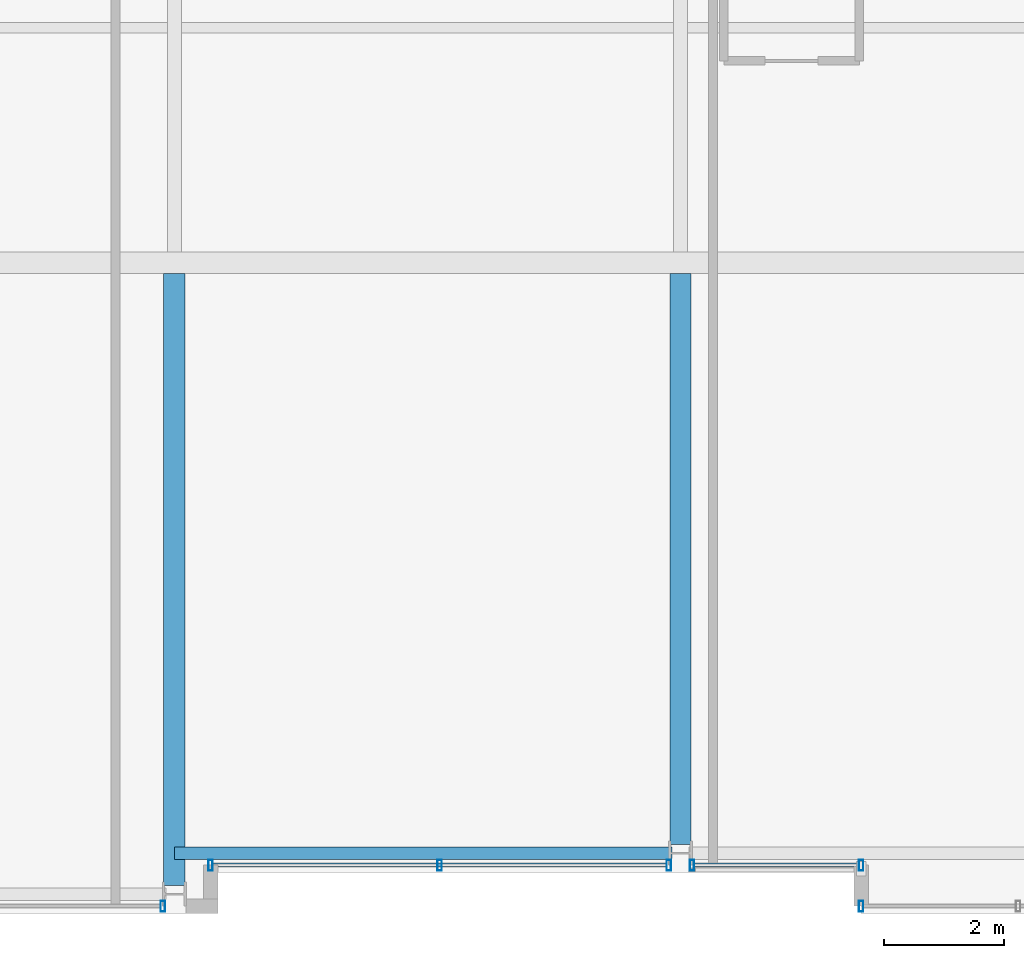
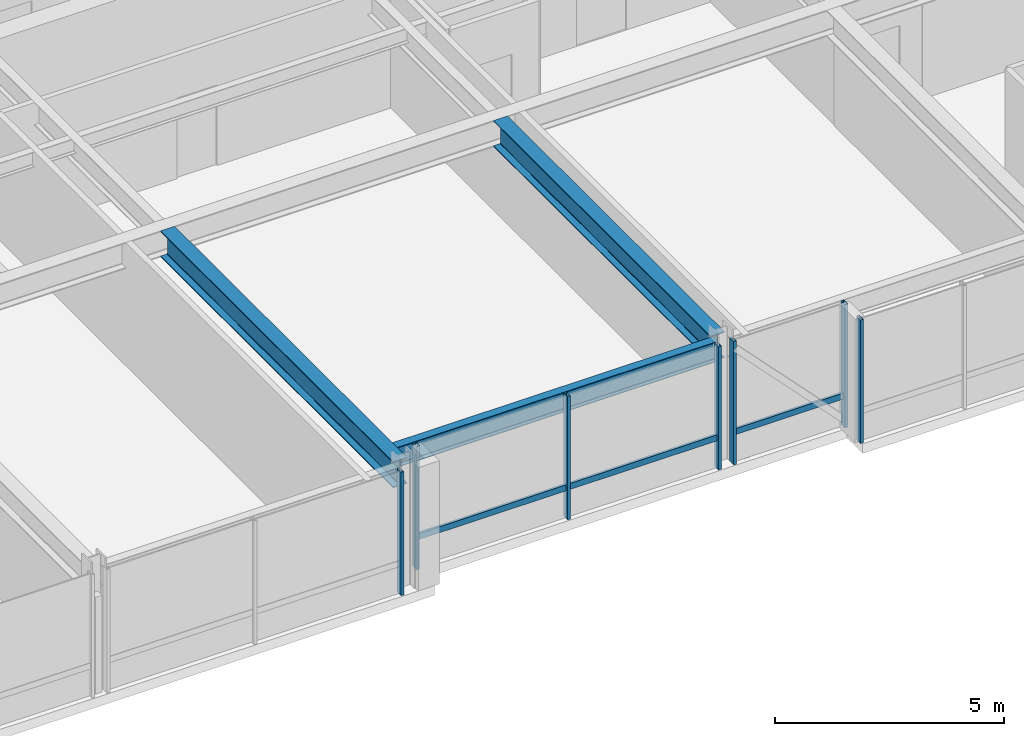
# One storey, part 5 of 32: 9 members, 3 beams, 4 elements without a shape of their own.
"""IFC4 building model written with IfcOpenShell, lengths in metres."""

from ifc_helpers import new_model, si_unit, direction, frame, origin, origin_2d, place, context, subcontext, project, spatial, hollow_rectangle, i_section, extrude, material, layer, layer_set, material_profile, profile_set, type_object, element, aggregate, save


model = new_model("IFC4")

# Units and contexts
model_context = context("Model", 3, precision=1e-05, world=origin(), true_north=direction((0.0, 1.0)))
body_context = subcontext(model_context, "Body", "Model", "MODEL_VIEW")
ifc_project = project(units=[si_unit("LENGTHUNIT", "METRE"), si_unit("AREAUNIT", "SQUARE_METRE"), si_unit("VOLUMEUNIT", "CUBIC_METRE"), si_unit("PLANEANGLEUNIT", "RADIAN"), si_unit("MASSUNIT", "GRAM", prefix="KILO")], contexts=[model_context])

# Site, building, storey
site_placement = place(None, origin())
site = spatial("IfcSite", under=ifc_project, at=site_placement, CompositionType="ELEMENT")
building_placement = place(site_placement, origin())
building = spatial("IfcBuilding", under=site, at=building_placement, Name="Drelvath Grand Hotel", CompositionType="ELEMENT")
storey_placement = place(building_placement, frame((0.0, 0.0, 189.449951171875)))
storey = spatial("IfcBuildingStorey", under=building, at=storey_placement, Name="L49", CompositionType="ELEMENT", Elevation=189.449951171875)

# Curtain wall, member
ifc_material_1 = material(Name="Brushed Pale-Silver Anodised Aluminium Frame", Category="aluminium")
ifc_layer = layer(ifc_material_1, 0.199951171875)
ifc_layer_set = layer_set([ifc_layer], Name="Brushed Pale-Silver Anodised Aluminium Frame")
curtain_wall_type = type_object("IfcCurtainWallType", Name="Stick Curtain Wall CW-04 Brushed Silver Upper-Mid", PredefinedType="NOTDEFINED", material=ifc_layer_set)
curtain_wall_1_placement = place(storey_placement, origin())
curtain_wall_1 = element("IfcCurtainWall", 1, at=curtain_wall_1_placement, inside=storey, type_object=curtain_wall_type, Name="L49 CW-04 Curtain Wall CW04-L49-SM1", PredefinedType="NOTDEFINED")
ifc_material_profile_1 = material_profile(ifc_material_1, hollow_rectangle(XDim=0.06494140625, YDim=0.159912109375, WallThickness=0.00390625, at=origin_2d()), Name="HSS160X65X4")
ifc_profile_set_1 = profile_set([ifc_material_profile_1], Name="Brushed Pale-Silver Anodised Aluminium Frame")
member_type_1 = type_object("IfcMemberType", Name="Curtain Wall Horizontal Transom CW-04 HSS160X65X4", PredefinedType="USERDEFINED", material=ifc_profile_set_1)
member_1_placement = place(storey_placement, frame((-0.231689453125, 0.800048828125, 0.822509765625), z_axis=(-1.0, 0.0, 0.0), x_axis=(0.0, -1.0, 0.0)))
member_1 = element("IfcMember", 2, at=member_1_placement, type_object=member_type_1, Name="CW04-L49-SM1 Sill Transom", ObjectType="TRANSOM", PredefinedType="USERDEFINED", context=body_context, shape_type="SweptSolid", body=[
    extrude(hollow_rectangle(XDim=0.06494140625, YDim=0.159912109375, WallThickness=0.00390625, at=origin_2d()), origin(), (0.0, 0.0, 1.0), 7.5283203125),
])

curtain_wall_2_placement = place(storey_placement, origin())
curtain_wall_2 = element("IfcCurtainWall", 3, at=curtain_wall_2_placement, inside=storey, type_object=curtain_wall_type, Name="L49 CW-04 Curtain Wall CW04-L49-SM2", PredefinedType="NOTDEFINED")
member_2_placement = place(storey_placement, frame((2.9599609375, 0.800048828125, 0.822509765625), z_axis=(-1.0, 0.0, 0.0), x_axis=(0.0, -1.0, 0.0)))
member_2 = element("IfcMember", 4, at=member_2_placement, type_object=member_type_1, Name="CW04-L49-SM2 Sill Transom", ObjectType="TRANSOM", PredefinedType="USERDEFINED", context=body_context, shape_type="SweptSolid", body=[
    extrude(hollow_rectangle(XDim=0.06494140625, YDim=0.159912109375, WallThickness=0.00390625, at=origin_2d()), origin(), (0.0, 0.0, 1.0), 2.728271484375),
])

curtain_wall_3_placement = place(storey_placement, origin())
curtain_wall_3 = element("IfcCurtainWall", 5, at=curtain_wall_3_placement, inside=storey, type_object=curtain_wall_type, Name="L49 CW-04 Curtain Wall CW04-L49-SE1", PredefinedType="NOTDEFINED")
ifc_material_profile_2 = material_profile(ifc_material_1, hollow_rectangle(XDim=0.074951171875, YDim=0.179931640625, WallThickness=0.0048828125, at=origin_2d()), Name="HSS180X75X5")
ifc_profile_set_2 = profile_set([ifc_material_profile_2], Name="Brushed Pale-Silver Anodised Aluminium Frame")
member_type_2 = type_object("IfcMemberType", Name="Curtain Wall Vertical Mullion CW-04 HSS180X75X5", PredefinedType="MULLION", material=ifc_profile_set_2)
member_3_placement = place(storey_placement, frame((3.0, 0.1201171875, 0.0), z_axis=(0.0, 0.0, 1.0), x_axis=(1.0, 0.0, 0.0)))
member_3 = element("IfcMember", 6, at=member_3_placement, type_object=member_type_2, Name="CW04-L49-SE1 Mullion 3", PredefinedType="MULLION", context=body_context, shape_type="SweptSolid", body=[
    extrude(hollow_rectangle(XDim=0.074951171875, YDim=0.179931640625, WallThickness=0.0048828125, at=origin_2d()), origin(), (0.0, 0.0, 1.0), 3.2900390625),
])
aggregate(curtain_wall_3, [member_3])

# Member
member_4_placement = place(storey_placement, frame((-0.191650390625, 0.800048828125, 0.0), z_axis=(0.0, 0.0, 1.0), x_axis=(1.0, 0.0, 0.0)))
member_4 = element("IfcMember", 7, at=member_4_placement, type_object=member_type_2, Name="CW04-L49-SM1 Mullion 1", PredefinedType="MULLION", context=body_context, shape_type="SweptSolid", body=[
    extrude(hollow_rectangle(XDim=0.074951171875, YDim=0.179931640625, WallThickness=0.0048828125, at=origin_2d()), origin(), (0.0, 0.0, 1.0), 3.2900390625),
])

member_5_placement = place(storey_placement, frame((-3.995849609375, 0.800048828125, 0.0), z_axis=(0.0, 0.0, 1.0), x_axis=(1.0, 0.0, 0.0)))
member_5 = element("IfcMember", 8, at=member_5_placement, type_object=member_type_2, Name="CW04-L49-SM1 Mullion 2", PredefinedType="MULLION", context=body_context, shape_type="SweptSolid", body=[
    extrude(hollow_rectangle(XDim=0.074951171875, YDim=0.179931640625, WallThickness=0.0048828125, at=origin_2d()), origin(), (0.0, 0.0, 1.0), 3.2900390625),
])

member_6_placement = place(storey_placement, frame((-7.800048828125, 0.800048828125, 0.0), z_axis=(0.0, 0.0, 1.0), x_axis=(1.0, 0.0, 0.0)))
member_6 = element("IfcMember", 9, at=member_6_placement, type_object=member_type_2, Name="CW04-L49-SM1 Mullion 3", PredefinedType="MULLION", context=body_context, shape_type="SweptSolid", body=[
    extrude(hollow_rectangle(XDim=0.074951171875, YDim=0.179931640625, WallThickness=0.0048828125, at=origin_2d()), origin(), (0.0, 0.0, 1.0), 3.2900390625),
])

aggregate(curtain_wall_1, [member_4, member_5, member_6, member_1])

member_7_placement = place(storey_placement, frame((3.0, 0.800048828125, 0.0), z_axis=(0.0, 0.0, 1.0), x_axis=(1.0, 0.0, 0.0)))
member_7 = element("IfcMember", 10, at=member_7_placement, type_object=member_type_2, Name="CW04-L49-SM2 Mullion 1", PredefinedType="MULLION", context=body_context, shape_type="SweptSolid", body=[
    extrude(hollow_rectangle(XDim=0.074951171875, YDim=0.179931640625, WallThickness=0.0048828125, at=origin_2d()), origin(), (0.0, 0.0, 1.0), 3.2900390625),
])

member_8_placement = place(storey_placement, frame((0.191650390625, 0.800048828125, 0.0), z_axis=(0.0, 0.0, 1.0), x_axis=(1.0, 0.0, 0.0)))
member_8 = element("IfcMember", 11, at=member_8_placement, type_object=member_type_2, Name="CW04-L49-SM2 Mullion 2", PredefinedType="MULLION", context=body_context, shape_type="SweptSolid", body=[
    extrude(hollow_rectangle(XDim=0.074951171875, YDim=0.179931640625, WallThickness=0.0048828125, at=origin_2d()), origin(), (0.0, 0.0, 1.0), 3.2900390625),
])

aggregate(curtain_wall_2, [member_7, member_8, member_2])

# Curtain wall, member
curtain_wall_4_placement = place(storey_placement, origin())
curtain_wall_4 = element("IfcCurtainWall", 12, at=curtain_wall_4_placement, inside=storey, type_object=curtain_wall_type, Name="L49 CW-04 Curtain Wall CW04-L49-SW2", PredefinedType="NOTDEFINED")
member_9_placement = place(storey_placement, frame((-8.591796875, 0.1201171875, 0.0), z_axis=(0.0, 0.0, 1.0), x_axis=(1.0, 0.0, 0.0)))
member_9 = element("IfcMember", 13, at=member_9_placement, type_object=member_type_2, Name="CW04-L49-SW2 Mullion 1", PredefinedType="MULLION", context=body_context, shape_type="SweptSolid", body=[
    extrude(hollow_rectangle(XDim=0.074951171875, YDim=0.179931640625, WallThickness=0.0048828125, at=origin_2d()), origin(), (0.0, 0.0, 1.0), 3.2900390625),
])
aggregate(curtain_wall_4, [member_9])

# Beams
ifc_material_2 = material(Name="Steel ASTM A992 Gr 50", Category="steel")
ifc_material_profile_3 = material_profile(ifc_material_2, i_section(OverallWidth=0.210205078125, OverallDepth=0.53662109375, WebThickness=0.010986328125, FlangeThickness=0.017333984375, FilletRadius=0.01806640625, at=origin_2d()), Name="W21X68")
ifc_profile_set_3 = profile_set([ifc_material_profile_3], Name="Steel ASTM A992 Gr 50")
beam_type_1 = type_object("IfcBeamType", Name="Perimeter Spandrel Beam W21X68", PredefinedType="SPANDREL", material=ifc_profile_set_3)
beam_1_placement = place(storey_placement, frame((-8.39990234375, 1.0, 3.021728515625), z_axis=(1.0, 0.0, 0.0), x_axis=(0.0, 1.0, 0.0)))
element("IfcBeam", 14, at=beam_1_placement, inside=storey, type_object=beam_type_1, Name="L49 Spandrel South Mid W", PredefinedType="SPANDREL", context=body_context, shape_type="SweptSolid", body=[
    extrude(i_section(OverallWidth=0.210205078125, OverallDepth=0.53662109375, WebThickness=0.010986328125, FlangeThickness=0.017333984375, FilletRadius=0.01806640625, at=origin_2d()), origin(), (0.0, 0.0, 1.0), 8.260009765625),
])
ifc_material_profile_4 = material_profile(ifc_material_2, i_section(OverallWidth=0.354736328125, OverallDepth=0.695556640625, WebThickness=0.015380859375, FlangeThickness=0.025146484375, FilletRadius=0.02392578125, at=origin_2d()), Name="W27X146")
ifc_profile_set_4 = profile_set([ifc_material_profile_4], Name="Steel ASTM A992 Gr 50")
beam_type_2 = type_object("IfcBeamType", Name="Primary Floor Girder W27X146", PredefinedType="BEAM", material=ifc_profile_set_4)
beam_2_placement = place(storey_placement, frame((-8.39990234375, 0.4599609375, 2.9423828125), z_axis=(0.0, 1.0, 0.0), x_axis=(-1.0, 0.0, 0.0)))
element("IfcBeam", 15, at=beam_2_placement, inside=storey, type_object=beam_type_2, Name="L49 South Wing Girder 4", PredefinedType="BEAM", context=body_context, shape_type="SweptSolid", body=[
    extrude(i_section(OverallWidth=0.354736328125, OverallDepth=0.695556640625, WebThickness=0.015380859375, FlangeThickness=0.025146484375, FilletRadius=0.02392578125, at=origin_2d()), origin(), (0.0, 0.0, 1.0), 10.16259765625),
])
beam_3_placement = place(storey_placement, frame((0.0, 1.139892578125, 2.9423828125), z_axis=(0.0, 1.0, 0.0), x_axis=(-1.0, 0.0, 0.0)))
element("IfcBeam", 16, at=beam_3_placement, inside=storey, type_object=beam_type_2, Name="L49 South Wing Girder 5", PredefinedType="BEAM", context=body_context, shape_type="SweptSolid", body=[
    extrude(i_section(OverallWidth=0.354736328125, OverallDepth=0.695556640625, WebThickness=0.015380859375, FlangeThickness=0.025146484375, FilletRadius=0.02392578125, at=origin_2d()), origin(), (0.0, 0.0, 1.0), 9.482666015625),
])

save(model, "model.ifc")
